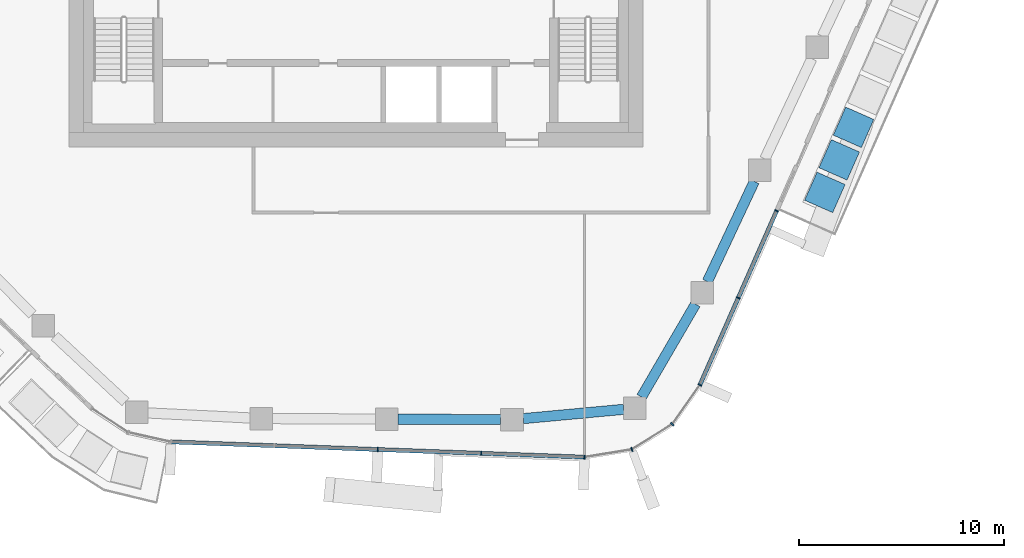
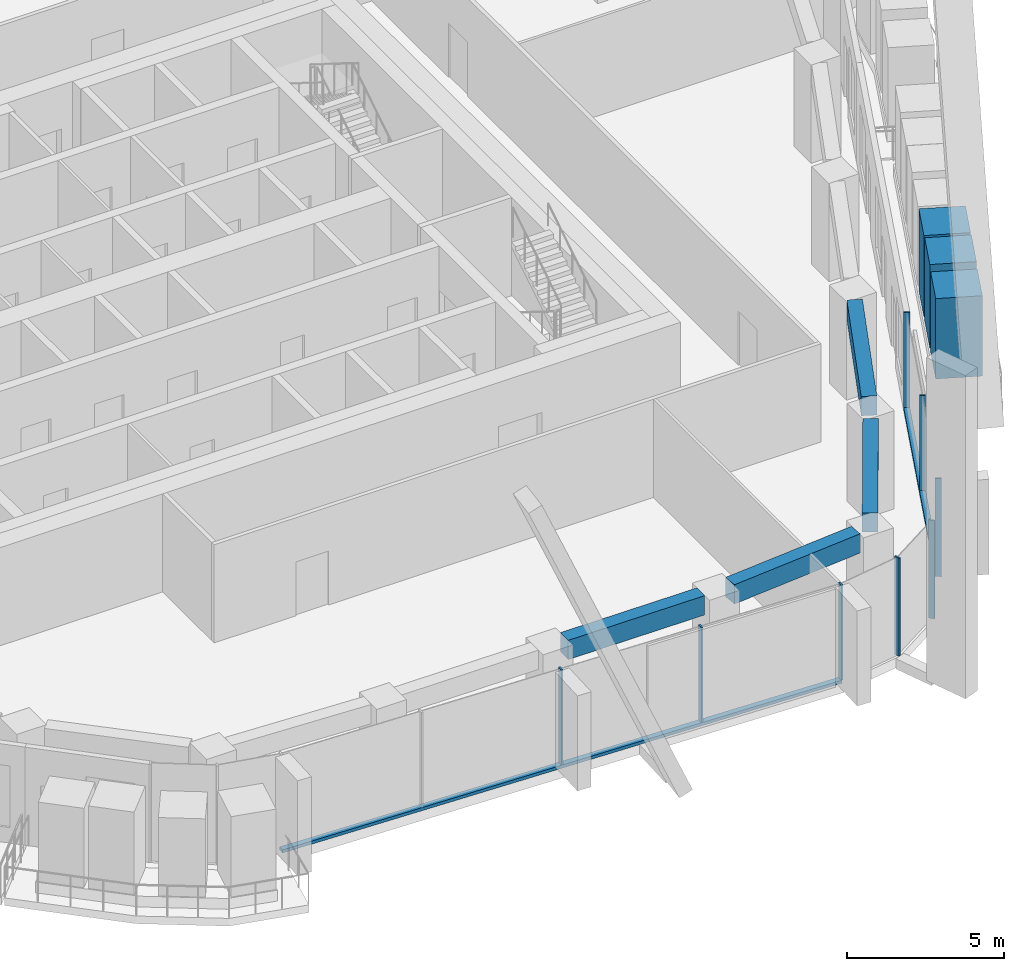
# One storey, part 4 of 20: 13 members, 4 beams, 3 elements without a shape of their own.
"""IFC4 building model written with IfcOpenShell, lengths in metres."""

from ifc_helpers import new_model, si_unit, direction, frame, origin, origin_2d, place, context, subcontext, project, spatial, rectangle, extrude, material, layer, layer_set, material_profile, profile_set, type_object, element, aggregate, save


model = new_model("IFC4")

# Units and contexts
model_context = context("Model", 3, precision=1e-05, world=origin(), true_north=direction((0.0, 1.0)))
body_context = subcontext(model_context, "Body", "Model", "MODEL_VIEW")
ifc_project = project(units=[si_unit("LENGTHUNIT", "METRE"), si_unit("AREAUNIT", "SQUARE_METRE"), si_unit("VOLUMEUNIT", "CUBIC_METRE"), si_unit("PLANEANGLEUNIT", "RADIAN"), si_unit("MASSUNIT", "GRAM", prefix="KILO")], contexts=[model_context])

# Site, building, storey
site_placement = place(None, origin())
site = spatial("IfcSite", under=ifc_project, at=site_placement, CompositionType="ELEMENT")
building_placement = place(site_placement, origin())
building = spatial("IfcBuilding", under=site, at=building_placement, Name="Dongbaek Canopy Tower", CompositionType="ELEMENT")
storey_placement = place(building_placement, frame((0.0, 0.0, 266.39990234375)))
storey = spatial("IfcBuildingStorey", under=building, at=storey_placement, Name="L56", CompositionType="ELEMENT", Elevation=266.39990234375)

# Curtain wall, members
ifc_material_1 = material(Name="Aluminium 6063-T6 pale anodised", Category="aluminium")
ifc_layer = layer(ifc_material_1, 0.199951171875)
ifc_layer_set = layer_set([ifc_layer], Name="CW-1 unitised tower curtain wall")
curtain_wall_type = type_object("IfcCurtainWallType", Name="CW-1 unitised tower curtain wall", PredefinedType="NOTDEFINED", material=ifc_layer_set)
curtain_wall_1_placement = place(storey_placement, origin())
curtain_wall_1 = element("IfcCurtainWall", 1, at=curtain_wall_1_placement, inside=storey, type_object=curtain_wall_type, Name="CW-1 curtain wall F4.1", PredefinedType="NOTDEFINED")
ifc_material_2 = material(Name="Aluminium 6063-T6 pale anodised", Category="aluminium")
ifc_material_profile_1 = material_profile(ifc_material_2, rectangle(XDim=0.199951171875, YDim=0.06005859375, at=origin_2d()), Name="CW-1 mullion 60 x 200")
ifc_profile_set_1 = profile_set([ifc_material_profile_1], Name="Aluminium 6063-T6 pale anodised")
member_type_1 = type_object("IfcMemberType", Name="CW-1 mullion 60 x 200", PredefinedType="MULLION", material=ifc_profile_set_1)
member_1_placement = place(storey_placement, frame((1.067138671875, -25.7578125, 0.1201171875), z_axis=(0.0, 0.0, 1.0), x_axis=(-0.036873891921, -0.999319926798, 0.0)))
member_1 = element("IfcMember", 2, at=member_1_placement, type_object=member_type_1, Name="CW-1 mullion F4.1.3", PredefinedType="MULLION", context=body_context, shape_type="SweptSolid", body=[
    extrude(rectangle(XDim=0.199951171875, YDim=0.06005859375, at=origin_2d()), origin(), (0.0, 0.0, 1.0), 3.699951171875),
])
member_2_placement = place(storey_placement, frame((6.1162109375, -25.944091796875, 0.1201171875), z_axis=(0.0, 0.0, 1.0), x_axis=(-0.036873891921, -0.999319926798, 0.0)))
member_2 = element("IfcMember", 3, at=member_2_placement, type_object=member_type_1, Name="CW-1 mullion F4.1.4", PredefinedType="MULLION", context=body_context, shape_type="SweptSolid", body=[
    extrude(rectangle(XDim=0.199951171875, YDim=0.06005859375, at=origin_2d()), origin(), (0.0, 0.0, 1.0), 3.699951171875),
])
member_3_placement = place(storey_placement, frame((11.155029296875, -26.1298828125, 0.1201171875), z_axis=(0.0, 0.0, 1.0), x_axis=(-0.036873891921, -0.999319926798, 0.0)))
member_3 = element("IfcMember", 4, at=member_3_placement, type_object=member_type_1, Name="CW-1 mullion F4.1.5", PredefinedType="MULLION", context=body_context, shape_type="SweptSolid", body=[
    extrude(rectangle(XDim=0.199951171875, YDim=0.06005859375, at=origin_2d()), origin(), (0.0, 0.0, 1.0), 3.699951171875),
])

curtain_wall_2_placement = place(storey_placement, origin())
curtain_wall_2 = element("IfcCurtainWall", 5, at=curtain_wall_2_placement, inside=storey, type_object=curtain_wall_type, Name="CW-1 curtain wall K5.1", PredefinedType="NOTDEFINED")
member_4_placement = place(storey_placement, frame((13.4638671875, -25.7529296875, 0.0), z_axis=(0.0, 0.0, 1.0), x_axis=(0.352874596106, -0.9356706255, 0.0)))
member_4 = element("IfcMember", 6, at=member_4_placement, type_object=member_type_1, Name="CW-1 mullion K5.1.2", PredefinedType="MULLION", context=body_context, shape_type="SweptSolid", body=[
    extrude(rectangle(XDim=0.199951171875, YDim=0.06005859375, at=origin_2d()), origin(), (0.0, 0.0, 1.0), 3.820068359375),
])
member_5_placement = place(storey_placement, frame((15.43798828125, -24.516845703125, 0.0), z_axis=(0.0, 0.0, 1.0), x_axis=(0.687590485044, -0.726098701884, 0.0)))
member_5 = element("IfcMember", 7, at=member_5_placement, type_object=member_type_1, Name="CW-1 mullion K5.1.3", PredefinedType="MULLION", context=body_context, shape_type="SweptSolid", body=[
    extrude(rectangle(XDim=0.199951171875, YDim=0.06005859375, at=origin_2d()), origin(), (0.0, 0.0, 1.0), 3.820068359375),
])
member_6_placement = place(storey_placement, frame((16.78564453125, -22.604736328125, 0.0), z_axis=(0.0, 0.0, 1.0), x_axis=(0.817425439524, -0.576034418085, 0.0)))
member_6 = element("IfcMember", 8, at=member_6_placement, type_object=member_type_1, Name="CW-1 mullion K5.1.4", PredefinedType="MULLION", context=body_context, shape_type="SweptSolid", body=[
    extrude(rectangle(XDim=0.199951171875, YDim=0.06005859375, at=origin_2d()), origin(), (0.0, 0.0, 1.0), 3.820068359375),
])
aggregate(curtain_wall_2, [member_4, member_5, member_6])

curtain_wall_3_placement = place(storey_placement, origin())
curtain_wall_3 = element("IfcCurtainWall", 9, at=curtain_wall_3_placement, inside=storey, type_object=curtain_wall_type, Name="CW-1 curtain wall F5.1", PredefinedType="NOTDEFINED")
member_7_placement = place(storey_placement, frame((18.656005859375, -18.3603515625, 0.1201171875), z_axis=(0.0, 0.0, 1.0), x_axis=(0.915073119112, -0.403287969917, 0.0)))
member_7 = element("IfcMember", 10, at=member_7_placement, type_object=member_type_1, Name="CW-1 mullion F5.1.2", PredefinedType="MULLION", context=body_context, shape_type="SweptSolid", body=[
    extrude(rectangle(XDim=0.199951171875, YDim=0.06005859375, at=origin_2d()), origin(), (0.0, 0.0, 1.0), 3.699951171875),
])
member_8_placement = place(storey_placement, frame((20.530517578125, -14.107177734375, 0.1201171875), z_axis=(0.0, 0.0, 1.0), x_axis=(0.915073119112, -0.403287969917, 0.0)))
member_8 = element("IfcMember", 11, at=member_8_placement, type_object=member_type_1, Name="CW-1 mullion F5.1.3", PredefinedType="MULLION", context=body_context, shape_type="SweptSolid", body=[
    extrude(rectangle(XDim=0.199951171875, YDim=0.06005859375, at=origin_2d()), origin(), (0.0, 0.0, 1.0), 3.699951171875),
])

# Member
ifc_material_3 = material(Name="Aluminium 6063-T6 pale anodised", Category="aluminium")
ifc_material_profile_2 = material_profile(ifc_material_3, rectangle(XDim=0.199951171875, YDim=0.1201171875, at=origin_2d()), Name="CW-1 transom 120 x 200")
ifc_profile_set_2 = profile_set([ifc_material_profile_2], Name="Aluminium 6063-T6 pale anodised")
member_type_2 = type_object("IfcMemberType", Name="CW-1 transom 120 x 200", PredefinedType="USERDEFINED", material=ifc_profile_set_2)
member_9_placement = place(storey_placement, frame((-9.021484375, -25.385498046875, 0.06005859375), z_axis=(0.999320124126, -0.036868543718, 0.0), x_axis=(0.036868543718, 0.999320124126, 0.0)))
member_9 = element("IfcMember", 12, at=member_9_placement, type_object=member_type_2, Name="CW-1 transom F4.1.1", ObjectType="TRANSOM", PredefinedType="USERDEFINED", context=body_context, shape_type="SweptSolid", body=[
    extrude(rectangle(XDim=0.199951171875, YDim=0.1201171875, at=origin_2d()), origin(), (0.0, 0.0, 1.0), 20.190185546875),
])

aggregate(curtain_wall_1, [member_1, member_2, member_3, member_9])

member_10_placement = place(storey_placement, frame((16.78564453125, -22.604736328125, 0.06005859375), z_axis=(0.403275110691, 0.915078786278, 0.0), x_axis=(-0.915078786278, 0.403275110691, 0.0)))
member_10 = element("IfcMember", 13, at=member_10_placement, type_object=member_type_2, Name="CW-1 transom F5.1.1", ObjectType="TRANSOM", PredefinedType="USERDEFINED", context=body_context, shape_type="SweptSolid", body=[
    extrude(rectangle(XDim=0.199951171875, YDim=0.1201171875, at=origin_2d()), origin(), (0.0, 0.0, 1.0), 9.2861328125),
])

aggregate(curtain_wall_3, [member_7, member_8, member_10])

# Beams
ifc_material_4 = material(Name="Concrete C70", Category="concrete")
ifc_material_profile_3 = material_profile(ifc_material_4, rectangle(XDim=0.5, YDim=0.75, at=origin_2d()), Name="RC EDGE BEAM 500x750 C70")
ifc_profile_set_3 = profile_set([ifc_material_profile_3], Name="Concrete C70")
beam_type = type_object("IfcBeamType", Name="RC EDGE BEAM 500x750 C70", PredefinedType="BEAM", material=ifc_profile_set_3)
beam_1_placement = place(storey_placement, frame((13.06201171875, -23.796875, 3.445068359375), z_axis=(-0.995758214652, -0.092008575434, 0.0), x_axis=(0.092008575434, -0.995758214652, 0.0)))
element("IfcBeam", 14, at=beam_1_placement, inside=storey, type_object=beam_type, Name="EDGEBEAM:L56:00", PredefinedType="BEAM", context=body_context, shape_type="SweptSolid", body=[
    extrude(rectangle(XDim=0.5, YDim=0.75, at=origin_2d()), origin(), (0.0, 0.0, 1.0), 4.916748046875),
])
beam_2_placement = place(storey_placement, frame((7.06591796875, -24.297607421875, 3.445068359375), z_axis=(-0.999989301171, 0.004625747851, 0.0), x_axis=(-0.004625747851, -0.999989301171, 0.0)))
element("IfcBeam", 15, at=beam_2_placement, inside=storey, type_object=beam_type, Name="EDGEBEAM:L56:01", PredefinedType="BEAM", context=body_context, shape_type="SweptSolid", body=[
    extrude(rectangle(XDim=0.5, YDim=0.75, at=origin_2d()), origin(), (0.0, 0.0, 1.0), 5.013916015625),
])
beam_3_placement = place(storey_placement, frame((19.437255859375, -12.677001953125, 3.445068359375), z_axis=(-0.424249579949, -0.905545301966, 0.0), x_axis=(0.905545301966, -0.424249579949, 0.0)))
element("IfcBeam", 16, at=beam_3_placement, inside=storey, type_object=beam_type, Name="EDGEBEAM:L56:24", PredefinedType="BEAM", context=body_context, shape_type="SweptSolid", body=[
    extrude(rectangle(XDim=0.5, YDim=0.75, at=origin_2d()), origin(), (0.0, 0.0, 1.0), 5.396728515625),
])
beam_4_placement = place(storey_placement, frame((16.56982421875, -18.6640625, 3.445068359375), z_axis=(-0.503022590015, -0.864273263462, 0.0), x_axis=(0.864273263462, -0.503022590015, 0.0)))
element("IfcBeam", 17, at=beam_4_placement, inside=storey, type_object=beam_type, Name="EDGEBEAM:L56:25", PredefinedType="BEAM", context=body_context, shape_type="SweptSolid", body=[
    extrude(rectangle(XDim=0.5, YDim=0.75, at=origin_2d()), origin(), (0.0, 0.0, 1.0), 5.24365234375),
])

# Members
ifc_material_5 = material(Name="Concrete C40/50 planter mass with planting", Category="concrete")
ifc_material_profile_4 = material_profile(ifc_material_5, rectangle(XDim=1.5, YDim=1.5, at=origin_2d()), Name="Terrace PLANTER shrub mass 1500 x 1500")
ifc_profile_set_4 = profile_set([ifc_material_profile_4], Name="Concrete C40/50 planter mass with planting")
member_type_3 = type_object("IfcMemberType", Name="Terrace PLANTER shrub mass 1500 x 1500", PredefinedType="USERDEFINED", material=ifc_profile_set_4)
member_11_placement = place(storey_placement, frame((22.88134765625, -13.211669921875, 0.420166015625), z_axis=(0.0, 0.0, 1.0), x_axis=(0.915073119112, -0.403287969917, 0.0)))
element("IfcMember", 18, at=member_11_placement, inside=storey, type_object=member_type_3, Name="Planter shrubs L56 3.1", ObjectType="PLANTER", PredefinedType="USERDEFINED", context=body_context, shape_type="SweptSolid", body=[
    extrude(rectangle(XDim=1.5, YDim=1.5, at=origin_2d()), origin(), (0.0, 0.0, 1.0), 3.1298828125),
])
member_12_placement = place(storey_placement, frame((23.5810546875, -11.6240234375, 0.420166015625), z_axis=(0.0, 0.0, 1.0), x_axis=(0.915073119112, -0.403287969917, 0.0)))
element("IfcMember", 19, at=member_12_placement, inside=storey, type_object=member_type_3, Name="Planter shrubs L56 3.2", ObjectType="PLANTER", PredefinedType="USERDEFINED", context=body_context, shape_type="SweptSolid", body=[
    extrude(rectangle(XDim=1.5, YDim=1.5, at=origin_2d()), origin(), (0.0, 0.0, 1.0), 3.25),
])
member_13_placement = place(storey_placement, frame((24.28076171875, -10.03662109375, 0.420166015625), z_axis=(0.0, 0.0, 1.0), x_axis=(0.915073119112, -0.403287969917, 0.0)))
element("IfcMember", 20, at=member_13_placement, inside=storey, type_object=member_type_3, Name="Planter shrubs L56 3.3", ObjectType="PLANTER", PredefinedType="USERDEFINED", context=body_context, shape_type="SweptSolid", body=[
    extrude(rectangle(XDim=1.5, YDim=1.5, at=origin_2d()), origin(), (0.0, 0.0, 1.0), 3.169921875),
])

save(model, "model.ifc")
